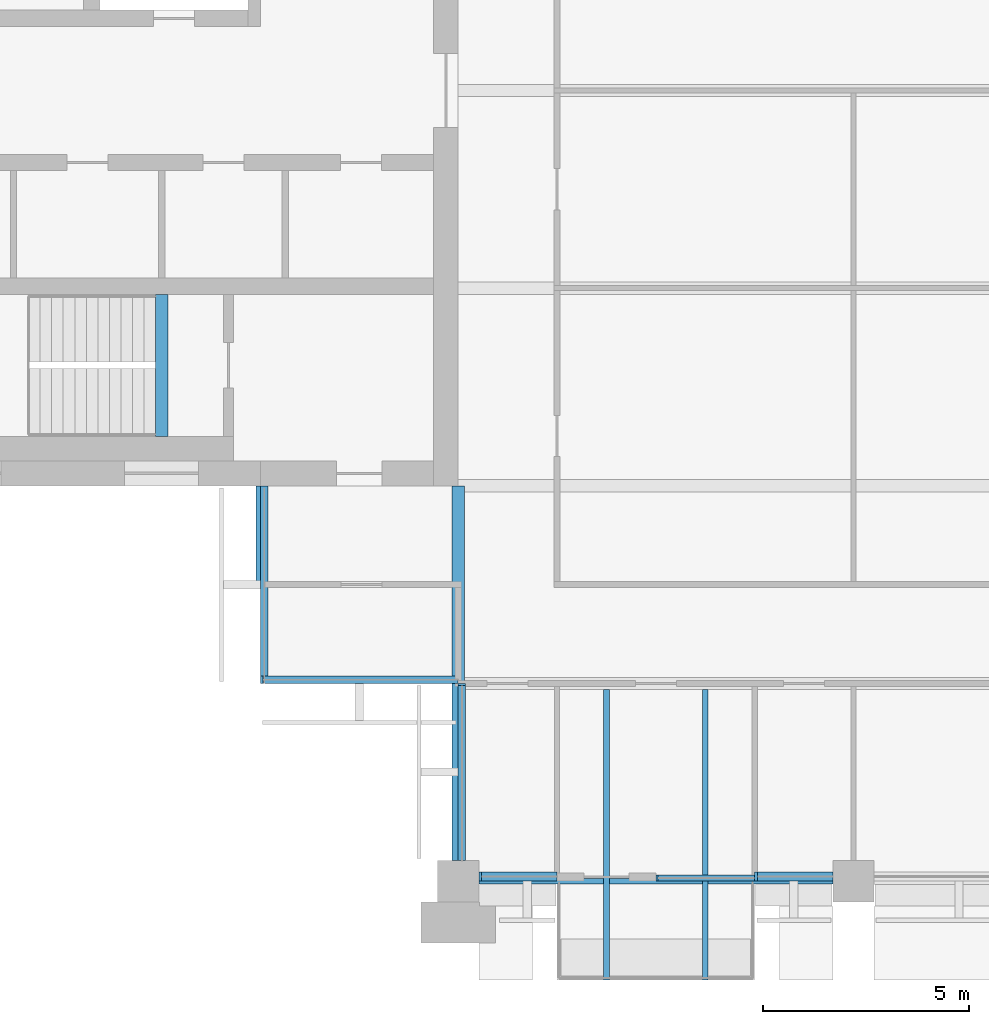
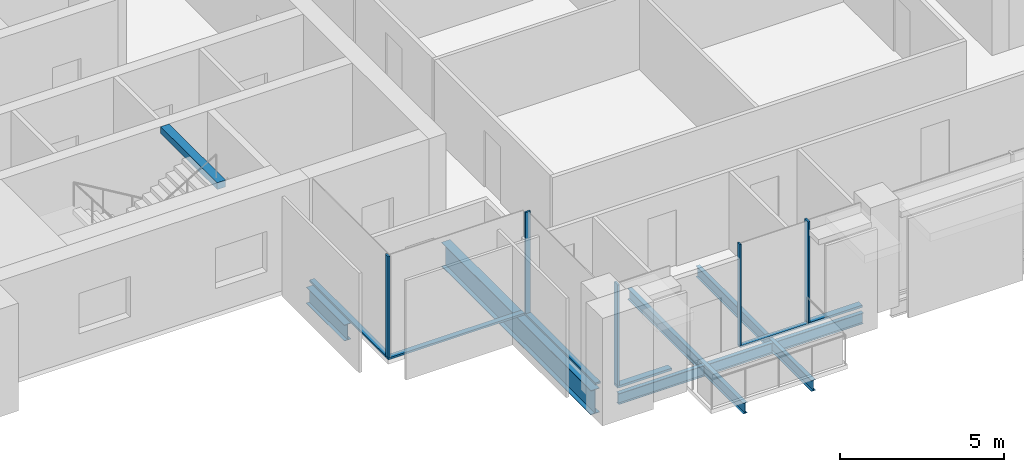
# One storey, part 2 of 13: 11 members, 8 beams, 6 elements without a shape of their own.
"""IFC4 building model written with IfcOpenShell, lengths in metres."""

import ifcopenshell
import ifcopenshell.guid

model = None  # the IFC model being written
_history = None  # IfcOwnerHistory: only IFC2X3 demands one
_inside = {}  # id of a spatial element -> (the spatial element, [elements in it])
_under = {}  # id of a project, library or spatial element -> (it, [spatial elements below it])
_declared = {}  # id of a project -> (the project, [libraries it declares])
_typed = {}  # id of a type object -> (the type object, [elements of that type])
_made_of = {}  # id of a material, layer set ... -> (it, [elements and type objects made of it])


def new_model(schema):
    """Start an empty IFC model of exactly this schema.

    Asked for "IFC4X3", IfcOpenShell would pick the latest addendum, in which some entities
    have other attributes; the version numbers below select the first issue.
    IFC2X3 requires an IfcOwnerHistory on every rooted entity: one is made here for all.
    """
    global model, _history
    if schema == "IFC4X3":
        model = ifcopenshell.file(schema_version=(4, 3, 0, 0))
    else:
        model = ifcopenshell.file(schema=schema)
    _inside.clear()
    _under.clear()
    _declared.clear()
    _typed.clear()
    _made_of.clear()
    _history = None
    if model.schema == "IFC2X3":
        org = make("IfcOrganization", Name="unknown")
        user = make(
            "IfcPersonAndOrganization",
            ThePerson=make("IfcPerson", FamilyName="unknown"),
            TheOrganization=org,
        )
        app = make(
            "IfcApplication",
            ApplicationDeveloper=org,
            Version="unknown",
            ApplicationFullName="unknown",
            ApplicationIdentifier="unknown",
        )
        _history = make(
            "IfcOwnerHistory",
            OwningUser=user,
            OwningApplication=app,
            ChangeAction="ADDED",
            CreationDate=0,
        )
    return model


def make(cls, **values):
    """One entity of the class cls with the attributes given. An attribute that is None is left unset."""
    return model.create_entity(
        cls, **{name: value for name, value in values.items() if value is not None}
    )


def rooted(cls, **values):
    """An entity with a GlobalId (a new one), such as an element, a storey or a relation."""
    return make(cls, GlobalId=ifcopenshell.guid.new(), OwnerHistory=_history, **values)


def si_unit(unit_type, name, prefix=None):
    """IfcSIUnit, for example si_unit("LENGTHUNIT", "METRE", prefix="MILLI")."""
    return make("IfcSIUnit", UnitType=unit_type, Prefix=prefix, Name=name)


def assignment(units):
    """IfcUnitAssignment: the units of a project."""
    return None if units is None else make("IfcUnitAssignment", Units=units)


def point(xyz):
    """IfcCartesianPoint."""
    return None if xyz is None else make("IfcCartesianPoint", Coordinates=xyz)


def direction(xyz):
    """IfcDirection."""
    return None if xyz is None else make("IfcDirection", DirectionRatios=xyz)


def frame(location, z_axis=None, x_axis=None):
    """IfcAxis2Placement3D, a coordinate frame: its origin and axes. An axis left out is left unset."""
    return make(
        "IfcAxis2Placement3D",
        Location=point(location),
        Axis=direction(z_axis),
        RefDirection=direction(x_axis),
    )


def frame_2d(location, x_axis=None):
    """IfcAxis2Placement2D, a coordinate frame in the plane: its origin and x axis."""
    return make(
        "IfcAxis2Placement2D", Location=point(location), RefDirection=direction(x_axis)
    )


def origin():
    """The frame at (0, 0, 0) with its axes left unset."""
    return frame((0.0, 0.0, 0.0))


def origin_2d():
    """The frame at (0, 0) in the plane with its x axis left unset."""
    return frame_2d((0.0, 0.0))


def place(relative_to, where):
    """IfcLocalPlacement: puts the frame where relative to a parent placement (None: the world)."""
    return make(
        "IfcLocalPlacement", PlacementRelTo=relative_to, RelativePlacement=where
    )


def context(
    kind, dimensions, precision=None, world=None, true_north=None, identifier=None
):
    """IfcGeometricRepresentationContext, for example the 3D "Model" context."""
    return make(
        "IfcGeometricRepresentationContext",
        ContextIdentifier=identifier,
        ContextType=kind,
        CoordinateSpaceDimension=dimensions,
        Precision=precision,
        WorldCoordinateSystem=world,
        TrueNorth=true_north,
    )


def subcontext(parent, identifier, kind, view, scale=None):
    """IfcGeometricRepresentationSubContext, for example "Body" below "Model"."""
    return make(
        "IfcGeometricRepresentationSubContext",
        ContextIdentifier=identifier,
        ContextType=kind,
        ParentContext=parent,
        TargetScale=scale,
        TargetView=view,
    )


def project(units=None, contexts=None):
    """IfcProject with its units and contexts."""
    return rooted(
        "IfcProject",
        Name="project",
        RepresentationContexts=contexts,
        UnitsInContext=assignment(units),
    )


def spatial(cls, under=None, at=None, **own):
    """A site, building, storey or space (cls), placed at a placement, below another one or the project."""
    s = rooted(cls, ObjectPlacement=at, **own)
    if under is not None:
        _under.setdefault(under.id(), (under, []))[1].append(s)
    return s


def profile(cls, at=None, kind="AREA", **sizes):
    """A parametric profile (cls). Its sizes go by their IFC names, for example OverallWidth=200.0."""
    return make(cls, ProfileType=kind, Position=at, **sizes)


def rectangle(**sizes):
    """IfcRectangleProfileDef."""
    return profile("IfcRectangleProfileDef", **sizes)


def i_section(**sizes):
    """IfcIShapeProfileDef."""
    return profile("IfcIShapeProfileDef", **sizes)


def extrude(swept, where, along, depth):
    """IfcExtrudedAreaSolid: the profile swept, set in the frame where, extruded along a direction by depth."""
    return make(
        "IfcExtrudedAreaSolid",
        SweptArea=swept,
        Position=where,
        ExtrudedDirection=direction(along),
        Depth=depth,
    )


def shape(context_of_items, identifier, shape_type, items):
    """IfcShapeRepresentation: the items that make up one representation, for example the "Body"."""
    return make(
        "IfcShapeRepresentation",
        ContextOfItems=context_of_items,
        RepresentationIdentifier=identifier,
        RepresentationType=shape_type,
        Items=items,
    )


def material(Name=None, Category=None):
    """IfcMaterial."""
    return make("IfcMaterial", Name=Name, Category=Category)


def material_profile(
    of_material, cross_section, Name=None, Category=None, Priority=None
):
    """IfcMaterialProfile: a cross section and its material."""
    return make(
        "IfcMaterialProfile",
        Name=Name,
        Material=of_material,
        Profile=cross_section,
        Priority=Priority,
        Category=Category,
    )


def profile_set(profiles, Name=None, composite=None):
    """IfcMaterialProfileSet."""
    return make(
        "IfcMaterialProfileSet",
        Name=Name,
        MaterialProfiles=profiles,
        CompositeProfile=composite,
    )


def made_of(thing, what):
    """Note that an element or type object is made of a material, layer set ...; save() writes the relation."""
    if what is not None:
        _made_of.setdefault(what.id(), (what, []))[1].append(thing)
    return thing


def type_object(cls, material=None, **own):
    """A type object (cls), such as IfcWallType, which elements share."""
    return made_of(rooted(cls, **own), material)


def element(
    cls,
    number,
    at=None,
    inside=None,
    cuts=None,
    type_object=None,
    material=None,
    context=None,
    identifier="Body",
    shape_type=None,
    held_by="IfcProductDefinitionShape",
    body=None,
    shapes=None,
    **own,
):
    """One element of the class cls, such as IfcWall. Its Tag is "e" and its number.

    at: its placement. inside: the storey or other place that contains it. cuts: it is an
    opening in that element (IfcRelVoidsElement). A single representation is given by context,
    identifier, shape_type and body (its items); several are given by shapes. held_by: the class
    of the entity that holds the representations. save() writes the other relations.
    """
    e = rooted(cls, Tag="e%d" % number, ObjectPlacement=at, **own)
    if body is not None:
        shapes = [shape(context, identifier, shape_type, body)]
    if shapes is not None:
        e.Representation = make(held_by, Representations=shapes)
    if inside is not None:
        _inside.setdefault(inside.id(), (inside, []))[1].append(e)
    if cuts is not None:
        rooted(
            "IfcRelVoidsElement", RelatingBuildingElement=cuts, RelatedOpeningElement=e
        )
    if type_object is not None:
        _typed.setdefault(type_object.id(), (type_object, []))[1].append(e)
    return made_of(e, material)


def aggregate(whole, parts):
    """IfcRelAggregates: a whole, such as a stair, and the parts it consists of."""
    return rooted("IfcRelAggregates", RelatingObject=whole, RelatedObjects=parts)


def save(model, path):
    """Write the relations noted so far, then the file.

    IfcRelAggregates (storeys below a building ...), IfcRelContainedInSpatialStructure (elements
    in a storey), IfcRelDefinesByType, IfcRelAssociatesMaterial and IfcRelDeclares: one each for
    every whole, place, type object, material and project.
    """
    for whole, parts in _under.values():
        aggregate(whole, parts)
    for where, things in _inside.values():
        rooted(
            "IfcRelContainedInSpatialStructure",
            RelatedElements=things,
            RelatingStructure=where,
        )
    for kind, things in _typed.values():
        rooted("IfcRelDefinesByType", RelatedObjects=things, RelatingType=kind)
    for what, things in _made_of.values():
        rooted("IfcRelAssociatesMaterial", RelatedObjects=things, RelatingMaterial=what)
    for by, libraries in _declared.values():
        rooted("IfcRelDeclares", RelatingContext=by, RelatedDefinitions=libraries)
    model.write(path)


model = new_model("IFC4")

# Units and contexts
model_context = context("Model", 3, precision=1e-05, world=origin(), true_north=direction((0.0, 1.0)))
body_context = subcontext(model_context, "Body", "Model", "MODEL_VIEW")
ifc_project = project(units=[si_unit("LENGTHUNIT", "METRE"), si_unit("AREAUNIT", "SQUARE_METRE"), si_unit("VOLUMEUNIT", "CUBIC_METRE"), si_unit("PLANEANGLEUNIT", "RADIAN"), si_unit("MASSUNIT", "GRAM", prefix="KILO")], contexts=[model_context])

# Site, building, storey
site_placement = place(None, origin())
site = spatial("IfcSite", under=ifc_project, at=site_placement, CompositionType="ELEMENT")
building_placement = place(site_placement, origin())
building = spatial("IfcBuilding", under=site, at=building_placement, Name="Baori Bourse Tower", CompositionType="ELEMENT")
storey_placement = place(building_placement, frame((0.0, 0.0, 338.300048828125)))
storey = spatial("IfcBuildingStorey", under=building, at=storey_placement, Name="L75", CompositionType="ELEMENT", Elevation=338.300048828125)

# Beams
ifc_material_1 = material(Name="Steel A992 Gr 50", Category="steel")
ifc_material_profile_1 = material_profile(ifc_material_1, i_section(OverallWidth=0.140380859375, OverallDepth=0.40380859375, WebThickness=0.007080078125, FlangeThickness=0.01123046875, at=origin_2d()), Name="W16x31")
ifc_profile_set_1 = profile_set([ifc_material_profile_1], Name="Steel A992 Gr 50")
beam_type_1 = type_object("IfcBeamType", Name="Balcony beam W16x31", PredefinedType="BEAM", material=ifc_profile_set_1)
for number, where, z_axis, x_axis, name in (
    (1, (22.800048828125, -2.39990234375, -0.362060546875), (0.0, 1.0, 0.0), (-1.0, 0.0, 0.0), "Balcony beam L75"),
    (2, (25.199951171875, -2.39990234375, -0.362060546875), (0.0, 1.0, 0.0), (-1.0, 0.0, 0.0), "Balcony beam L75"),
):
    element("IfcBeam", number, at=place(storey_placement, frame(where, z_axis=z_axis, x_axis=x_axis)), inside=storey, type_object=beam_type_1, Name=name, PredefinedType="BEAM", context=body_context, shape_type="SweptSolid", body=[
        extrude(i_section(OverallWidth=0.140380859375, OverallDepth=0.40380859375, WebThickness=0.007080078125, FlangeThickness=0.01123046875, at=origin_2d()), origin(), (0.0, 0.0, 1.0), 7.050048828125),
    ])

# Curtain wall, member
ifc_material_2 = material(Name="Pale anodised aluminium", Category="aluminium")
curtain_wall_type_1 = type_object("IfcCurtainWallType", Name="CW2 Curtain wall", PredefinedType="NOTDEFINED", material=ifc_material_2)
curtain_wall_1_placement = place(storey_placement, origin())
curtain_wall_1 = element("IfcCurtainWall", 3, at=curtain_wall_1_placement, inside=storey, type_object=curtain_wall_type_1, Name="Curtain wall CW2 L75 11", PredefinedType="NOTDEFINED")
ifc_material_3 = material(Name="Pale anodised aluminium", Category="aluminium")
ifc_material_profile_2 = material_profile(ifc_material_3, rectangle(XDim=0.179931640625, YDim=0.054931640625, at=origin_2d()), Name="Mullion 55x180")
ifc_profile_set_2 = profile_set([ifc_material_profile_2], Name="Pale anodised aluminium")
member_type_1 = type_object("IfcMemberType", Name="CW2 Curtain wall mullion", PredefinedType="MULLION", material=ifc_profile_set_2)
member_1_placement = place(storey_placement, frame((14.427490234375, 4.889892578125, 0.070068359375), z_axis=(0.0, 0.0, 1.0), x_axis=(0.0, 1.0, 0.0)))
member_1 = element("IfcMember", 4, at=member_1_placement, type_object=member_type_1, Name="Curtain wall CW2 mullion", PredefinedType="MULLION", context=body_context, shape_type="SweptSolid", body=[
    extrude(rectangle(XDim=0.179931640625, YDim=0.054931640625, at=origin_2d()), origin(), (0.0, 0.0, 1.0), 3.769775390625),
])

curtain_wall_2_placement = place(storey_placement, origin())
curtain_wall_2 = element("IfcCurtainWall", 5, at=curtain_wall_2_placement, inside=storey, type_object=curtain_wall_type_1, Name="Curtain wall CW2 L75 12", PredefinedType="NOTDEFINED")
member_2_placement = place(storey_placement, frame((19.2900390625, 4.7724609375, 0.070068359375), z_axis=(0.0, 0.0, 1.0), x_axis=(1.0, 0.0, 0.0)))
member_2 = element("IfcMember", 6, at=member_2_placement, type_object=member_type_1, Name="Curtain wall CW2 mullion", PredefinedType="MULLION", context=body_context, shape_type="SweptSolid", body=[
    extrude(rectangle(XDim=0.179931640625, YDim=0.054931640625, at=origin_2d()), origin(), (0.0, 0.0, 1.0), 3.769775390625),
])

curtain_wall_3_placement = place(storey_placement, origin())
curtain_wall_3 = element("IfcCurtainWall", 7, at=curtain_wall_3_placement, inside=storey, type_object=curtain_wall_type_1, Name="Curtain wall CW2 L75 10", PredefinedType="NOTDEFINED")
ifc_material_4 = material(Name="Pale anodised aluminium", Category="aluminium")
ifc_material_profile_3 = material_profile(ifc_material_4, rectangle(XDim=0.179931640625, YDim=0.070068359375, at=origin_2d()), Name="Transom 70x180")
ifc_profile_set_3 = profile_set([ifc_material_profile_3], Name="Pale anodised aluminium")
member_type_2 = type_object("IfcMemberType", Name="CW2 Curtain wall transom", PredefinedType="USERDEFINED", material=ifc_profile_set_3)
member_3_placement = place(storey_placement, frame((14.489990234375, 9.60009765625, 0.034912109375), z_axis=(0.0, -1.0, 0.0), x_axis=(1.0, 0.0, 0.0)))
member_3 = element("IfcMember", 8, at=member_3_placement, type_object=member_type_2, Name="Curtain wall CW2 sill rail", ObjectType="TRANSOM", PredefinedType="USERDEFINED", context=body_context, shape_type="SweptSolid", body=[
    extrude(rectangle(XDim=0.179931640625, YDim=0.070068359375, at=origin_2d()), origin(), (0.0, 0.0, 1.0), 4.800048828125),
])
aggregate(curtain_wall_3, [member_3])

# Member
member_4_placement = place(storey_placement, frame((14.39990234375, 4.889892578125, 0.034912109375), z_axis=(1.0, 0.0, 0.0), x_axis=(0.0, 1.0, 0.0)))
member_4 = element("IfcMember", 9, at=member_4_placement, type_object=member_type_2, Name="Curtain wall CW2 sill rail", ObjectType="TRANSOM", PredefinedType="USERDEFINED", context=body_context, shape_type="SweptSolid", body=[
    extrude(rectangle(XDim=0.179931640625, YDim=0.070068359375, at=origin_2d()), origin(), (0.0, 0.0, 1.0), 4.800048828125),
])

aggregate(curtain_wall_1, [member_4, member_1])

member_5_placement = place(storey_placement, frame((19.2900390625, 4.800048828125, 0.034912109375), z_axis=(0.0, -1.0, 0.0), x_axis=(1.0, 0.0, 0.0)))
member_5 = element("IfcMember", 10, at=member_5_placement, type_object=member_type_2, Name="Curtain wall CW2 sill rail", ObjectType="TRANSOM", PredefinedType="USERDEFINED", context=body_context, shape_type="SweptSolid", body=[
    extrude(rectangle(XDim=0.179931640625, YDim=0.070068359375, at=origin_2d()), origin(), (0.0, 0.0, 1.0), 4.300048828125),
])

aggregate(curtain_wall_2, [member_5, member_2])

# Curtain wall, member
ifc_material_5 = material(Name="Pale anodised aluminium", Category="aluminium")
curtain_wall_type_2 = type_object("IfcCurtainWallType", Name="CW5 Curtain wall", PredefinedType="NOTDEFINED", material=ifc_material_5)
curtain_wall_4_placement = place(storey_placement, origin())
curtain_wall_4 = element("IfcCurtainWall", 11, at=curtain_wall_4_placement, inside=storey, type_object=curtain_wall_type_2, Name="Curtain wall CW5 L75 13", PredefinedType="NOTDEFINED")
ifc_material_6 = material(Name="Pale anodised aluminium", Category="aluminium")
ifc_material_profile_4 = material_profile(ifc_material_6, rectangle(XDim=0.219970703125, YDim=0.06494140625, at=origin_2d()), Name="Mullion 65x220")
ifc_profile_set_4 = profile_set([ifc_material_profile_4], Name="Pale anodised aluminium")
member_type_3 = type_object("IfcMemberType", Name="CW5 Curtain wall mullion", PredefinedType="MULLION", material=ifc_profile_set_4)
member_6_placement = place(storey_placement, frame((19.732421875, 0.110107421875, 0.0849609375), z_axis=(0.0, 0.0, 1.0), x_axis=(0.0, 1.0, 0.0)))
member_6 = element("IfcMember", 12, at=member_6_placement, type_object=member_type_3, Name="Curtain wall CW5 mullion", PredefinedType="MULLION", context=body_context, shape_type="SweptSolid", body=[
    extrude(rectangle(XDim=0.219970703125, YDim=0.06494140625, at=origin_2d()), origin(), (0.0, 0.0, 1.0), 3.7548828125),
])

curtain_wall_5_placement = place(storey_placement, origin())
curtain_wall_5 = element("IfcCurtainWall", 13, at=curtain_wall_5_placement, inside=storey, type_object=curtain_wall_type_2, Name="Curtain wall CW5 L75 15", PredefinedType="NOTDEFINED")
member_7_placement = place(storey_placement, frame((26.4326171875, 0.110107421875, 0.0849609375), z_axis=(0.0, 0.0, 1.0), x_axis=(0.0, 1.0, 0.0)))
member_7 = element("IfcMember", 14, at=member_7_placement, type_object=member_type_3, Name="Curtain wall CW5 mullion", PredefinedType="MULLION", context=body_context, shape_type="SweptSolid", body=[
    extrude(rectangle(XDim=0.219970703125, YDim=0.06494140625, at=origin_2d()), origin(), (0.0, 0.0, 1.0), 3.7548828125),
])

# Member
ifc_material_7 = material(Name="Pale anodised aluminium", Category="aluminium")
ifc_material_profile_5 = material_profile(ifc_material_7, rectangle(XDim=0.219970703125, YDim=0.0849609375, at=origin_2d()), Name="Transom 85x220")
ifc_profile_set_5 = profile_set([ifc_material_profile_5], Name="Pale anodised aluminium")
member_type_4 = type_object("IfcMemberType", Name="CW5 Curtain wall transom", PredefinedType="USERDEFINED", material=ifc_profile_set_5)
member_8_placement = place(storey_placement, frame((19.699951171875, 0.110107421875, 0.04248046875), z_axis=(1.0, 0.0, 0.0), x_axis=(0.0, 1.0, 0.0)))
member_8 = element("IfcMember", 15, at=member_8_placement, type_object=member_type_4, Name="Curtain wall CW5 sill rail", ObjectType="TRANSOM", PredefinedType="USERDEFINED", context=body_context, shape_type="SweptSolid", body=[
    extrude(rectangle(XDim=0.219970703125, YDim=0.0849609375, at=origin_2d()), origin(), (0.0, 0.0, 1.0), 1.900146484375),
])

aggregate(curtain_wall_4, [member_8, member_6])

member_9_placement = place(storey_placement, frame((26.39990234375, 0.110107421875, 0.04248046875), z_axis=(1.0, 0.0, 0.0), x_axis=(0.0, 1.0, 0.0)))
member_9 = element("IfcMember", 16, at=member_9_placement, type_object=member_type_4, Name="Curtain wall CW5 sill rail", ObjectType="TRANSOM", PredefinedType="USERDEFINED", context=body_context, shape_type="SweptSolid", body=[
    extrude(rectangle(XDim=0.219970703125, YDim=0.0849609375, at=origin_2d()), origin(), (0.0, 0.0, 1.0), 1.900146484375),
])

aggregate(curtain_wall_5, [member_9, member_7])

# Curtain wall, members
ifc_material_8 = material(Name="Pale anodised aluminium", Category="aluminium")
curtain_wall_type_3 = type_object("IfcCurtainWallType", Name="CW6 Curtain wall", PredefinedType="NOTDEFINED", material=ifc_material_8)
curtain_wall_6_placement = place(storey_placement, origin())
curtain_wall_6 = element("IfcCurtainWall", 17, at=curtain_wall_6_placement, inside=storey, type_object=curtain_wall_type_3, Name="Curtain wall CW6 L75 14", PredefinedType="NOTDEFINED")
ifc_material_9 = material(Name="Pale anodised aluminium", Category="aluminium")
ifc_material_profile_6 = material_profile(ifc_material_9, rectangle(XDim=0.14990234375, YDim=0.050048828125, at=origin_2d()), Name="Mullion 50x150")
ifc_profile_set_6 = profile_set([ifc_material_profile_6], Name="Pale anodised aluminium")
member_type_5 = type_object("IfcMemberType", Name="CW6 Curtain wall mullion", PredefinedType="MULLION", material=ifc_profile_set_6)
member_10_placement = place(storey_placement, frame((24.02490234375, 0.074951171875, 0.06494140625), z_axis=(0.0, 0.0, 1.0), x_axis=(0.0, 1.0, 0.0)))
member_10 = element("IfcMember", 18, at=member_10_placement, type_object=member_type_5, Name="Curtain wall CW6 mullion", PredefinedType="MULLION", context=body_context, shape_type="SweptSolid", body=[
    extrude(rectangle(XDim=0.14990234375, YDim=0.050048828125, at=origin_2d()), origin(), (0.0, 0.0, 1.0), 3.77490234375),
])
ifc_material_10 = material(Name="Pale anodised aluminium", Category="aluminium")
ifc_material_profile_7 = material_profile(ifc_material_10, rectangle(XDim=0.14990234375, YDim=0.06494140625, at=origin_2d()), Name="Transom 65x150")
ifc_profile_set_7 = profile_set([ifc_material_profile_7], Name="Pale anodised aluminium")
member_type_6 = type_object("IfcMemberType", Name="CW6 Curtain wall transom", PredefinedType="USERDEFINED", material=ifc_profile_set_7)
member_11_placement = place(storey_placement, frame((24.0, 0.074951171875, 0.032470703125), z_axis=(1.0, 0.0, 0.0), x_axis=(0.0, 1.0, 0.0)))
member_11 = element("IfcMember", 19, at=member_11_placement, type_object=member_type_6, Name="Curtain wall CW6 sill rail", ObjectType="TRANSOM", PredefinedType="USERDEFINED", context=body_context, shape_type="SweptSolid", body=[
    extrude(rectangle(XDim=0.14990234375, YDim=0.06494140625, at=origin_2d()), origin(), (0.0, 0.0, 1.0), 2.39990234375),
])
aggregate(curtain_wall_6, [member_11, member_10])

# Beams
ifc_material_11 = material(Name="Steel A992 Gr 50", Category="steel")
ifc_material_profile_8 = material_profile(ifc_material_11, i_section(OverallWidth=0.227783203125, OverallDepth=0.60205078125, WebThickness=0.010498046875, FlangeThickness=0.014892578125, at=origin_2d()), Name="W24x68")
ifc_profile_set_8 = profile_set([ifc_material_profile_8], Name="Steel A992 Gr 50")
beam_type_2 = type_object("IfcBeamType", Name="Core bracket W24x68", PredefinedType="BEAM", material=ifc_profile_set_8)
beam_1_placement = place(storey_placement, frame((14.39990234375, 7.270263671875, -0.4609375), z_axis=(0.0, 1.0, 0.0), x_axis=(-1.0, 0.0, 0.0)))
element("IfcBeam", 20, at=beam_1_placement, inside=storey, type_object=beam_type_2, Name="Core bracket L75", PredefinedType="BEAM", context=body_context, shape_type="SweptSolid", body=[
    extrude(i_section(OverallWidth=0.227783203125, OverallDepth=0.60205078125, WebThickness=0.010498046875, FlangeThickness=0.014892578125, at=origin_2d()), origin(), (0.0, 0.0, 1.0), 2.329833984375),
])
ifc_material_12 = material(Name="Steel A992 Gr 50", Category="steel")
ifc_material_profile_9 = material_profile(ifc_material_12, i_section(OverallWidth=0.140380859375, OverallDepth=0.40380859375, WebThickness=0.007080078125, FlangeThickness=0.01123046875, at=origin_2d()), Name="W16x31")
ifc_profile_set_9 = profile_set([ifc_material_profile_9], Name="Steel A992 Gr 50")
beam_type_3 = type_object("IfcBeamType", Name="Edge beam W16x31", PredefinedType="BEAM", material=ifc_profile_set_9)
beam_2_placement = place(storey_placement, frame((19.699951171875, 0.0, -0.362060546875), z_axis=(1.0, 0.0, 0.0), x_axis=(0.0, 1.0, 0.0)))
element("IfcBeam", 21, at=beam_2_placement, inside=storey, type_object=beam_type_3, Name="Edge beam L75", PredefinedType="BEAM", context=body_context, shape_type="SweptSolid", body=[
    extrude(i_section(OverallWidth=0.140380859375, OverallDepth=0.40380859375, WebThickness=0.007080078125, FlangeThickness=0.01123046875, at=origin_2d()), origin(), (0.0, 0.0, 1.0), 3.02978515625),
])
beam_3_placement = place(storey_placement, frame((22.8701171875, 0.0, -0.362060546875), z_axis=(1.0, 0.0, 0.0), x_axis=(0.0, 1.0, 0.0)))
element("IfcBeam", 22, at=beam_3_placement, inside=storey, type_object=beam_type_3, Name="Edge beam L75", PredefinedType="BEAM", context=body_context, shape_type="SweptSolid", body=[
    extrude(i_section(OverallWidth=0.140380859375, OverallDepth=0.40380859375, WebThickness=0.007080078125, FlangeThickness=0.01123046875, at=origin_2d()), origin(), (0.0, 0.0, 1.0), 2.259765625),
])
beam_4_placement = place(storey_placement, frame((25.270263671875, 0.0, -0.362060546875), z_axis=(1.0, 0.0, 0.0), x_axis=(0.0, 1.0, 0.0)))
element("IfcBeam", 23, at=beam_4_placement, inside=storey, type_object=beam_type_3, Name="Edge beam L75", PredefinedType="BEAM", context=body_context, shape_type="SweptSolid", body=[
    extrude(i_section(OverallWidth=0.140380859375, OverallDepth=0.40380859375, WebThickness=0.007080078125, FlangeThickness=0.01123046875, at=origin_2d()), origin(), (0.0, 0.0, 1.0), 3.02978515625),
])
ifc_material_13 = material(Name="Steel A992 Gr 50", Category="steel")
ifc_material_profile_10 = material_profile(ifc_material_13, i_section(OverallWidth=0.3046875, OverallDepth=0.904296875, WebThickness=0.01513671875, FlangeThickness=0.02001953125, at=origin_2d()), Name="W36x135")
ifc_profile_set_10 = profile_set([ifc_material_profile_10], Name="Steel A992 Gr 50")
beam_type_4 = type_object("IfcBeamType", Name="Girder W36x135", PredefinedType="BEAM", material=ifc_profile_set_10)
beam_5_placement = place(storey_placement, frame((19.199951171875, 0.5, -0.612060546875), z_axis=(0.0, 1.0, 0.0), x_axis=(-1.0, 0.0, 0.0)))
element("IfcBeam", 24, at=beam_5_placement, inside=storey, type_object=beam_type_4, Name="Girder L75", PredefinedType="BEAM", context=body_context, shape_type="SweptSolid", body=[
    extrude(i_section(OverallWidth=0.3046875, OverallDepth=0.904296875, WebThickness=0.01513671875, FlangeThickness=0.02001953125, at=origin_2d()), origin(), (0.0, 0.0, 1.0), 9.10009765625),
])
ifc_material_14 = material(Name="Concrete f'c 50 MPa", Category="concrete")
ifc_material_profile_11 = material_profile(ifc_material_14, rectangle(XDim=0.300048828125, YDim=0.25, at=origin_2d()), Name="RC 300x250")
ifc_profile_set_11 = profile_set([ifc_material_profile_11], Name="Concrete f'c 50 MPa")
beam_type_5 = type_object("IfcBeamType", Name="Stair nib beam RC 300x250", PredefinedType="BEAM", material=ifc_profile_set_11)
beam_6_placement = place(storey_placement, frame((12.0, 10.800048828125, 3.71484375), z_axis=(0.0, 1.0, 0.0), x_axis=(-1.0, 0.0, 0.0)))
element("IfcBeam", 25, at=beam_6_placement, inside=storey, type_object=beam_type_5, Name="Stair WA nib beam L76", PredefinedType="BEAM", context=body_context, shape_type="SweptSolid", body=[
    extrude(rectangle(XDim=0.300048828125, YDim=0.25, at=origin_2d()), origin(), (0.0, 0.0, 1.0), 3.449951171875),
])

save(model, "model.ifc")
